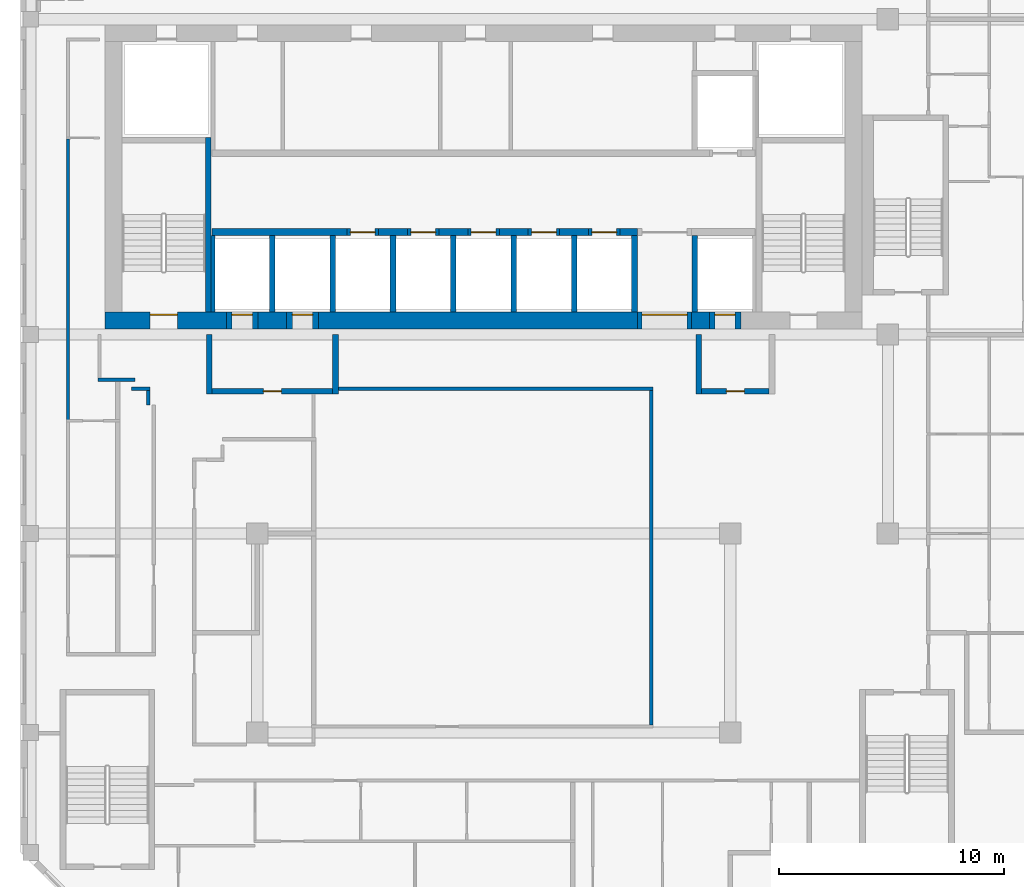
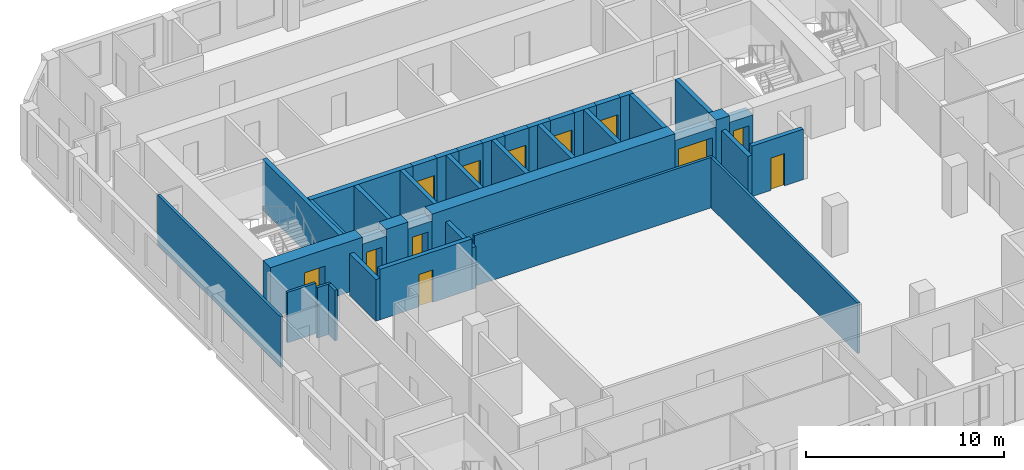
# One storey, part 4 of 19: 40 walls, 12 doors, 12 openings.
"""IFC4 building model written with IfcOpenShell, lengths in metres."""

from ifc_helpers import new_model, si_unit, direction, frame, frame_2d, origin, place, context, subcontext, project, spatial, rectangle, extrude, source, transform, mapped, material, layer, layer_set, type_object, element, fill, save


model = new_model("IFC4")

# Units and contexts
model_context = context("Model", 3, precision=1e-05, world=origin(), true_north=direction((0.0, 1.0)))
body_context = subcontext(model_context, "Body", "Model", "MODEL_VIEW")
ifc_project = project(units=[si_unit("LENGTHUNIT", "METRE"), si_unit("AREAUNIT", "SQUARE_METRE"), si_unit("VOLUMEUNIT", "CUBIC_METRE"), si_unit("PLANEANGLEUNIT", "RADIAN"), si_unit("MASSUNIT", "GRAM", prefix="KILO")], contexts=[model_context])

# Site, building, storey
site_placement = place(None, origin())
site = spatial("IfcSite", under=ifc_project, at=site_placement, CompositionType="ELEMENT")
building_placement = place(site_placement, origin())
building = spatial("IfcBuilding", under=site, at=building_placement, Name="Kilnfold Tower and Market Hall", CompositionType="ELEMENT")
storey_placement = place(building_placement, frame((0.0, 0.0, 245.800048828125)))
storey = spatial("IfcBuildingStorey", under=building, at=storey_placement, Name="L59", CompositionType="ELEMENT", Elevation=245.800048828125)

# Walls
ifc_material_1 = material(Name="Gypsum board on steel studs", Category="steel")
ifc_layer_1 = layer(ifc_material_1, 0.14990234375)
ifc_layer_set_1 = layer_set([ifc_layer_1], Name="Gypsum board on steel studs")
wall_type_1 = type_object("IfcWallType", Name="WALL CORRIDOR 150", PredefinedType="PARTITIONING", material=ifc_layer_set_1)
wall_1_placement = place(storey_placement, frame((-17.39990234375, 4.214111328125, 0.0), z_axis=(0.0, 0.0, 1.0), x_axis=(0.0, 1.0, 0.0)))
element("IfcWall", 1, at=wall_1_placement, inside=storey, type_object=wall_type_1, Name="Partition LY36.4", PredefinedType="PARTITIONING", context=body_context, shape_type="SweptSolid", body=[
    extrude(rectangle(XDim=12.476806640625, YDim=0.14990234375, at=frame_2d((6.23828125, 0.0))), origin(), (0.0, 0.0, 1.0), 3.119873046875),
])
wall_2_placement = place(storey_placement, frame((-16.074951171875, 6.0, 0.0), z_axis=(0.0, 0.0, 1.0), x_axis=(1.0, 0.0, 0.0)))
element("IfcWall", 2, at=wall_2_placement, inside=storey, type_object=wall_type_1, Name="Partition LY36.5", PredefinedType="PARTITIONING", context=body_context, shape_type="SweptSolid", body=[
    extrude(rectangle(XDim=1.64990234375, YDim=0.14990234375, at=frame_2d((0.824951171875, 0.0))), origin(), (0.0, 0.0, 1.0), 3.119873046875),
])
wall_3_placement = place(storey_placement, frame((-13.843017578125, 5.52490234375, 0.0), z_axis=(0.0, 0.0, 1.0), x_axis=(0.0, -1.0, 0.0)))
element("IfcWall", 3, at=wall_3_placement, inside=storey, type_object=wall_type_1, Name="Partition LY36.29", PredefinedType="PARTITIONING", context=body_context, shape_type="SweptSolid", body=[
    extrude(rectangle(XDim=0.64599609375, YDim=0.14990234375, at=frame_2d((0.322998046875, 0.0))), origin(), (0.0, 0.0, 1.0), 3.119873046875),
])
wall_4_placement = place(storey_placement, frame((-14.574951171875, 5.60009765625, 0.0), z_axis=(0.0, 0.0, 1.0), x_axis=(1.0, 0.0, 0.0)))
element("IfcWall", 4, at=wall_4_placement, inside=storey, type_object=wall_type_1, Name="Partition LY36.30", PredefinedType="PARTITIONING", context=body_context, shape_type="SweptSolid", body=[
    extrude(rectangle(XDim=0.806884765625, YDim=0.14990234375, at=frame_2d((0.4033203125, 0.0))), origin(), (0.0, 0.0, 1.0), 3.119873046875),
])
wall_5_placement = place(storey_placement, frame((8.5, 5.52490234375, 0.0), z_axis=(0.0, 0.0, 1.0), x_axis=(0.0, -1.0, 0.0)))
element("IfcWall", 5, at=wall_5_placement, inside=storey, type_object=wall_type_1, Name="Partition LY36.42", PredefinedType="PARTITIONING", context=body_context, shape_type="SweptSolid", body=[
    extrude(rectangle(XDim=14.849853515625, YDim=0.14990234375, at=frame_2d((7.4248046875, 0.0))), origin(), (0.0, 0.0, 1.0), 3.119873046875),
])
wall_6_placement = place(storey_placement, frame((-5.39990234375, 5.60009765625, 0.0), z_axis=(0.0, 0.0, 1.0), x_axis=(1.0, 0.0, 0.0)))
element("IfcWall", 6, at=wall_6_placement, inside=storey, type_object=wall_type_1, Name="Partition LY36.43", PredefinedType="PARTITIONING", context=body_context, shape_type="SweptSolid", body=[
    extrude(rectangle(XDim=13.974853515625, YDim=0.14990234375, at=frame_2d((6.9873046875, 0.0))), origin(), (0.0, 0.0, 1.0), 3.119873046875),
])
ifc_material_2 = material(Name="Concrete C60", Category="concrete")
ifc_layer_2 = layer(ifc_material_2, 0.25)
ifc_layer_set_2 = layer_set([ifc_layer_2], Name="Concrete C60")
wall_type_2 = type_object("IfcWallType", Name="CORE WALL 250 C60", PredefinedType="SHEAR", material=ifc_layer_set_2)
shared_shape_1 = source(origin(), body_context, "Body", "SweptSolid", [
    extrude(rectangle(XDim=7.75, YDim=0.25, at=frame_2d((3.875, 0.0))), origin(), (0.0, 0.0, 1.0), 3.119873046875),
])
wall_7_placement = place(storey_placement, frame((-11.175048828125, 9.0, 0.0), z_axis=(0.0, 0.0, 1.0), x_axis=(0.0, 1.0, 0.0)))
element("IfcWall", 7, at=wall_7_placement, inside=storey, type_object=wall_type_2, Name="Stair enclosure ST1", PredefinedType="SHEAR", context=body_context, shape_type="MappedRepresentation", body=[
    mapped(shared_shape_1, transform((0.0, 0.0, 0.0))),
])
ifc_material_3 = material(Name="Concrete C60", Category="concrete")
ifc_layer_3 = layer(ifc_material_3, 0.300048828125)
ifc_layer_set_3 = layer_set([ifc_layer_3], Name="Concrete C60")
wall_type_3 = type_object("IfcWallType", Name="CORE WALL 300 C60", PredefinedType="SHEAR", material=ifc_layer_set_3)
shared_shape_2 = source(origin(), body_context, "Body", "SweptSolid", [
    extrude(rectangle(XDim=6.0, YDim=0.300048828125, at=frame_2d((3.0, 0.0))), origin(), (0.0, 0.0, 1.0), 3.119873046875),
])
wall_8_placement = place(storey_placement, frame((-11.010009765625, 12.550048828125, 0.0), z_axis=(0.0, 0.0, 1.0), x_axis=(1.0, 0.0, 0.0)))
element("IfcWall", 8, at=wall_8_placement, inside=storey, type_object=wall_type_3, Name="Core spine wall", PredefinedType="SHEAR", context=body_context, shape_type="MappedRepresentation", body=[
    mapped(shared_shape_2, transform((0.0, 0.0, 0.0))),
])
shared_shape_3 = source(origin(), body_context, "Body", "SweptSolid", [
    extrude(rectangle(XDim=1.280029296875, YDim=0.300048828125, at=frame_2d((0.64013671875, 0.0))), origin(), (0.0, 0.0, 1.0), 3.119873046875),
])
for number, where, z_axis, x_axis, name in (
    (9, (-3.610107421875, 12.550048828125, 0.0), (0.0, 0.0, 1.0), (1.0, 0.0, 0.0), "Core spine wall"),
    (10, (-0.929931640625, 12.550048828125, 0.0), (0.0, 0.0, 1.0), (1.0, 0.0, 0.0), "Core spine wall"),
    (11, (1.75, 12.550048828125, 0.0), (0.0, 0.0, 1.0), (1.0, 0.0, 0.0), "Core spine wall"),
    (12, (4.429931640625, 12.550048828125, 0.0), (0.0, 0.0, 1.0), (1.0, 0.0, 0.0), "Core spine wall"),
):
    element("IfcWall", number, at=place(storey_placement, frame(where, z_axis=z_axis, x_axis=x_axis)), inside=storey, type_object=wall_type_3, Name=name, PredefinedType="SHEAR", context=body_context, shape_type="MappedRepresentation", body=[
        mapped(shared_shape_3, transform((0.0, 0.0, 0.0))),
    ])
shared_shape_4 = source(origin(), body_context, "Body", "SweptSolid", [
    extrude(rectangle(XDim=0.77978515625, YDim=0.300048828125, at=frame_2d((0.389892578125, 0.0))), origin(), (0.0, 0.0, 1.0), 3.119873046875),
])
wall_9_placement = place(storey_placement, frame((7.110107421875, 12.550048828125, 0.0), z_axis=(0.0, 0.0, 1.0), x_axis=(1.0, 0.0, 0.0)))
element("IfcWall", 13, at=wall_9_placement, inside=storey, type_object=wall_type_3, Name="Core spine wall", PredefinedType="SHEAR", context=body_context, shape_type="MappedRepresentation", body=[
    mapped(shared_shape_4, transform((0.0, 0.0, 0.0))),
])

# Wall, opening, door
ifc_material_4 = material(Name="Concrete C60", Category="concrete")
ifc_layer_4 = layer(ifc_material_4, 0.75)
ifc_layer_set_4 = layer_set([ifc_layer_4], Name="Concrete C60")
wall_type_4 = type_object("IfcWallType", Name="CORE WALL 750 C60", PredefinedType="SHEAR", material=ifc_layer_set_4)
shared_shape_5 = source(origin(), body_context, "Body", "SweptSolid", [
    extrude(rectangle(XDim=5.3798828125, YDim=0.75, at=frame_2d((2.68994140625, 0.0))), origin(), (0.0, 0.0, 1.0), 3.119873046875),
])
wall_10_placement = place(storey_placement, frame((-15.75, 8.625, 0.0), z_axis=(0.0, 0.0, 1.0), x_axis=(1.0, 0.0, 0.0)))
wall_10 = element("IfcWall", 14, at=wall_10_placement, inside=storey, type_object=wall_type_4, Name="Core outer wall south", PredefinedType="SHEAR", context=body_context, shape_type="MappedRepresentation", body=[
    mapped(shared_shape_5, transform((0.0, 0.0, 0.0))),
])
opening_1_placement = place(wall_10_placement, frame((2.0, 0.0, 0.0)))
opening_1 = element("IfcOpeningElement", 15, at=opening_1_placement, cuts=wall_10, Name="Opening SD1", PredefinedType="OPENING", context=body_context, shape_type="SweptSolid", body=[
    extrude(rectangle(XDim=1.199951171875, YDim=2.10009765625, at=frame_2d((0.60009765625, 1.050048828125))), frame((0.0, 0.385009765625, 0.0), z_axis=(0.0, -1.0, 0.0), x_axis=(1.0, 0.0, 0.0)), (0.0, 0.0, 1.0), 0.77001953125),
])
ifc_material_5 = material(Name="Steel door set with fire-resisting leaf", Category="steel")
door_type_1 = type_object("IfcDoorType", Name="STAIR FLOOR DOOR 1200X2100", OperationType="NOTDEFINED", PredefinedType="DOOR", material=ifc_material_5)
door_1_placement = place(opening_1_placement, origin())
door_1 = element("IfcDoor", 16, at=door_1_placement, inside=storey, type_object=door_type_1, Name="Exit stair ST1 door", OperationType="DOUBLE_DOOR_SINGLE_SWING", OverallHeight=2.10009765625, OverallWidth=1.199951171875, PredefinedType="DOOR", context=body_context, shape_type="SweptSolid", body=[
    extrude(rectangle(XDim=1.199951171875, YDim=2.10009765625, at=frame_2d((0.60009765625, 1.050048828125))), frame((0.0, 0.27978515625, 0.0), z_axis=(0.0, -1.0, 0.0), x_axis=(1.0, 0.0, 0.0)), (0.0, 0.0, 1.0), 0.050048828125),
])
fill(opening_1, door_1)

# Walls
shared_shape_6 = source(origin(), body_context, "Body", "SweptSolid", [
    extrude(rectangle(XDim=1.280029296875, YDim=0.75, at=frame_2d((0.64013671875, 0.0))), origin(), (0.0, 0.0, 1.0), 3.119873046875),
])
wall_11_placement = place(storey_placement, frame((-8.969970703125, 8.625, 0.0), z_axis=(0.0, 0.0, 1.0), x_axis=(1.0, 0.0, 0.0)))
element("IfcWall", 17, at=wall_11_placement, inside=storey, type_object=wall_type_4, Name="Core outer wall south", PredefinedType="SHEAR", context=body_context, shape_type="MappedRepresentation", body=[
    mapped(shared_shape_6, transform((0.0, 0.0, 0.0))),
])
shared_shape_7 = source(origin(), body_context, "Body", "SweptSolid", [
    extrude(rectangle(XDim=14.179931640625, YDim=0.75, at=frame_2d((7.08984375, 0.0))), origin(), (0.0, 0.0, 1.0), 3.119873046875),
])
wall_12_placement = place(storey_placement, frame((-6.2900390625, 8.625, 0.0), z_axis=(0.0, 0.0, 1.0), x_axis=(1.0, 0.0, 0.0)))
element("IfcWall", 18, at=wall_12_placement, inside=storey, type_object=wall_type_4, Name="Core outer wall south", PredefinedType="SHEAR", context=body_context, shape_type="MappedRepresentation", body=[
    mapped(shared_shape_7, transform((0.0, 0.0, 0.0))),
])
shared_shape_8 = source(origin(), body_context, "Body", "SweptSolid", [
    extrude(rectangle(XDim=0.780029296875, YDim=0.75, at=frame_2d((0.39013671875, 0.0))), origin(), (0.0, 0.0, 1.0), 3.119873046875),
])
wall_13_placement = place(storey_placement, frame((10.2900390625, 8.625, 0.0), z_axis=(0.0, 0.0, 1.0), x_axis=(1.0, 0.0, 0.0)))
element("IfcWall", 19, at=wall_13_placement, inside=storey, type_object=wall_type_4, Name="Core outer wall south", PredefinedType="SHEAR", context=body_context, shape_type="MappedRepresentation", body=[
    mapped(shared_shape_8, transform((0.0, 0.0, 0.0))),
])

# Wall, opening, door
ifc_material_6 = material(Name="Gypsum shaft wall system")
ifc_layer_5 = layer(ifc_material_6, 0.300048828125)
ifc_layer_set_5 = layer_set([ifc_layer_5], Name="Gypsum shaft wall system")
wall_type_5 = type_object("IfcWallType", Name="SHAFT WALL 300", PredefinedType="PARTITIONING", material=ifc_layer_set_5)
shared_shape_9 = source(origin(), body_context, "Body", "SweptSolid", [
    extrude(rectangle(XDim=1.39990234375, YDim=0.300048828125, at=frame_2d((0.699951171875, 0.0))), origin(), (0.0, 0.0, 1.0), 3.119873046875),
])
wall_14_placement = place(storey_placement, frame((-5.010009765625, 12.550048828125, 0.0), z_axis=(0.0, 0.0, 1.0), x_axis=(1.0, 0.0, 0.0)))
wall_14 = element("IfcWall", 20, at=wall_14_placement, inside=storey, type_object=wall_type_5, Name="Lift shaft front wall", PredefinedType="PARTITIONING", context=body_context, shape_type="MappedRepresentation", body=[
    mapped(shared_shape_9, transform((0.0, 0.0, 0.0))),
])
opening_2_placement = place(wall_14_placement, frame((0.14990234375, 0.0, 0.0)))
opening_2 = element("IfcOpeningElement", 21, at=opening_2_placement, cuts=wall_14, Name="Opening LD2", PredefinedType="OPENING", context=body_context, shape_type="SweptSolid", body=[
    extrude(rectangle(XDim=1.10009765625, YDim=2.10009765625, at=frame_2d((0.550048828125, 1.050048828125))), frame((0.0, 0.16015625, 0.0), z_axis=(0.0, -1.0, 0.0), x_axis=(1.0, 0.0, 0.0)), (0.0, 0.0, 1.0), 0.320068359375),
])
ifc_material_7 = material(Name="Steel door set with fire-resisting leaf", Category="steel")
door_type_2 = type_object("IfcDoorType", Name="LANDING DOOR 1100X2100", OperationType="NOTDEFINED", PredefinedType="DOOR", material=ifc_material_7)
door_2_placement = place(opening_2_placement, origin())
door_2 = element("IfcDoor", 22, at=door_2_placement, inside=storey, type_object=door_type_2, Name="Landing door HR1", OperationType="DOUBLE_DOOR_SLIDING", OverallHeight=2.10009765625, OverallWidth=1.10009765625, PredefinedType="DOOR", context=body_context, shape_type="SweptSolid", body=[
    extrude(rectangle(XDim=1.10009765625, YDim=2.10009765625, at=frame_2d((0.550048828125, 1.050048828125))), frame((0.0, 0.02490234375, 0.0), z_axis=(0.0, -1.0, 0.0), x_axis=(1.0, 0.0, 0.0)), (0.0, 0.0, 1.0), 0.050048828125),
])
fill(opening_2, door_2)

wall_15_placement = place(storey_placement, frame((0.35009765625, 12.550048828125, 0.0), z_axis=(0.0, 0.0, 1.0), x_axis=(1.0, 0.0, 0.0)))
wall_15 = element("IfcWall", 23, at=wall_15_placement, inside=storey, type_object=wall_type_5, Name="Lift shaft front wall", PredefinedType="PARTITIONING", context=body_context, shape_type="MappedRepresentation", body=[
    mapped(shared_shape_9, transform((0.0, 0.0, 0.0))),
])
opening_3_placement = place(wall_15_placement, frame((0.14990234375, 0.0, 0.0)))
opening_3 = element("IfcOpeningElement", 24, at=opening_3_placement, cuts=wall_15, Name="Opening LD2", PredefinedType="OPENING", context=body_context, shape_type="SweptSolid", body=[
    extrude(rectangle(XDim=1.10009765625, YDim=2.10009765625, at=frame_2d((0.550048828125, 1.050048828125))), frame((0.0, 0.16015625, 0.0), z_axis=(0.0, -1.0, 0.0), x_axis=(1.0, 0.0, 0.0)), (0.0, 0.0, 1.0), 0.320068359375),
])
door_3_placement = place(opening_3_placement, origin())
door_3 = element("IfcDoor", 25, at=door_3_placement, inside=storey, type_object=door_type_2, Name="Landing door HR3", OperationType="DOUBLE_DOOR_SLIDING", OverallHeight=2.10009765625, OverallWidth=1.10009765625, PredefinedType="DOOR", context=body_context, shape_type="SweptSolid", body=[
    extrude(rectangle(XDim=1.10009765625, YDim=2.10009765625, at=frame_2d((0.550048828125, 1.050048828125))), frame((0.0, 0.02490234375, 0.0), z_axis=(0.0, -1.0, 0.0), x_axis=(1.0, 0.0, 0.0)), (0.0, 0.0, 1.0), 0.050048828125),
])
fill(opening_3, door_3)

wall_16_placement = place(storey_placement, frame((3.030029296875, 12.550048828125, 0.0), z_axis=(0.0, 0.0, 1.0), x_axis=(1.0, 0.0, 0.0)))
wall_16 = element("IfcWall", 26, at=wall_16_placement, inside=storey, type_object=wall_type_5, Name="Lift shaft front wall", PredefinedType="PARTITIONING", context=body_context, shape_type="MappedRepresentation", body=[
    mapped(shared_shape_9, transform((0.0, 0.0, 0.0))),
])
opening_4_placement = place(wall_16_placement, frame((0.14990234375, 0.0, 0.0)))
opening_4 = element("IfcOpeningElement", 27, at=opening_4_placement, cuts=wall_16, Name="Opening LD2", PredefinedType="OPENING", context=body_context, shape_type="SweptSolid", body=[
    extrude(rectangle(XDim=1.10009765625, YDim=2.10009765625, at=frame_2d((0.550048828125, 1.050048828125))), frame((0.0, 0.16015625, 0.0), z_axis=(0.0, -1.0, 0.0), x_axis=(1.0, 0.0, 0.0)), (0.0, 0.0, 1.0), 0.320068359375),
])
door_4_placement = place(opening_4_placement, origin())
door_4 = element("IfcDoor", 28, at=door_4_placement, inside=storey, type_object=door_type_2, Name="Landing door HR4", OperationType="DOUBLE_DOOR_SLIDING", OverallHeight=2.10009765625, OverallWidth=1.10009765625, PredefinedType="DOOR", context=body_context, shape_type="SweptSolid", body=[
    extrude(rectangle(XDim=1.10009765625, YDim=2.10009765625, at=frame_2d((0.550048828125, 1.050048828125))), frame((0.0, 0.02490234375, 0.0), z_axis=(0.0, -1.0, 0.0), x_axis=(1.0, 0.0, 0.0)), (0.0, 0.0, 1.0), 0.050048828125),
])
fill(opening_4, door_4)

shared_shape_10 = source(origin(), body_context, "Body", "SweptSolid", [
    extrude(rectangle(XDim=1.400146484375, YDim=0.300048828125, at=frame_2d((0.7001953125, 0.0))), origin(), (0.0, 0.0, 1.0), 3.119873046875),
])
wall_17_placement = place(storey_placement, frame((-2.330078125, 12.550048828125, 0.0), z_axis=(0.0, 0.0, 1.0), x_axis=(1.0, 0.0, 0.0)))
wall_17 = element("IfcWall", 29, at=wall_17_placement, inside=storey, type_object=wall_type_5, Name="Lift shaft front wall", PredefinedType="PARTITIONING", context=body_context, shape_type="MappedRepresentation", body=[
    mapped(shared_shape_10, transform((0.0, 0.0, 0.0))),
])
opening_5_placement = place(wall_17_placement, frame((0.14990234375, 0.0, 0.0)))
opening_5 = element("IfcOpeningElement", 30, at=opening_5_placement, cuts=wall_17, Name="Opening LD2", PredefinedType="OPENING", context=body_context, shape_type="SweptSolid", body=[
    extrude(rectangle(XDim=1.10009765625, YDim=2.10009765625, at=frame_2d((0.550048828125, 1.050048828125))), frame((0.0, 0.16015625, 0.0), z_axis=(0.0, -1.0, 0.0), x_axis=(1.0, 0.0, 0.0)), (0.0, 0.0, 1.0), 0.320068359375),
])
door_5_placement = place(opening_5_placement, origin())
door_5 = element("IfcDoor", 31, at=door_5_placement, inside=storey, type_object=door_type_2, Name="Landing door HR2", OperationType="DOUBLE_DOOR_SLIDING", OverallHeight=2.10009765625, OverallWidth=1.10009765625, PredefinedType="DOOR", context=body_context, shape_type="SweptSolid", body=[
    extrude(rectangle(XDim=1.10009765625, YDim=2.10009765625, at=frame_2d((0.550048828125, 1.050048828125))), frame((0.0, 0.02490234375, 0.0), z_axis=(0.0, -1.0, 0.0), x_axis=(1.0, 0.0, 0.0)), (0.0, 0.0, 1.0), 0.050048828125),
])
fill(opening_5, door_5)

wall_18_placement = place(storey_placement, frame((5.7099609375, 12.550048828125, 0.0), z_axis=(0.0, 0.0, 1.0), x_axis=(1.0, 0.0, 0.0)))
wall_18 = element("IfcWall", 32, at=wall_18_placement, inside=storey, type_object=wall_type_5, Name="Lift shaft front wall", PredefinedType="PARTITIONING", context=body_context, shape_type="MappedRepresentation", body=[
    mapped(shared_shape_10, transform((0.0, 0.0, 0.0))),
])
opening_6_placement = place(wall_18_placement, frame((0.14990234375, 0.0, 0.0)))
opening_6 = element("IfcOpeningElement", 33, at=opening_6_placement, cuts=wall_18, Name="Opening LD2", PredefinedType="OPENING", context=body_context, shape_type="SweptSolid", body=[
    extrude(rectangle(XDim=1.10009765625, YDim=2.10009765625, at=frame_2d((0.550048828125, 1.050048828125))), frame((0.0, 0.16015625, 0.0), z_axis=(0.0, -1.0, 0.0), x_axis=(1.0, 0.0, 0.0)), (0.0, 0.0, 1.0), 0.320068359375),
])
door_6_placement = place(opening_6_placement, origin())
door_6 = element("IfcDoor", 34, at=door_6_placement, inside=storey, type_object=door_type_2, Name="Landing door HR5", OperationType="DOUBLE_DOOR_SLIDING", OverallHeight=2.10009765625, OverallWidth=1.10009765625, PredefinedType="DOOR", context=body_context, shape_type="SweptSolid", body=[
    extrude(rectangle(XDim=1.10009765625, YDim=2.10009765625, at=frame_2d((0.550048828125, 1.050048828125))), frame((0.0, 0.02490234375, 0.0), z_axis=(0.0, -1.0, 0.0), x_axis=(1.0, 0.0, 0.0)), (0.0, 0.0, 1.0), 0.050048828125),
])
fill(opening_6, door_6)

ifc_material_8 = material(Name="Gypsum shaft wall system")
ifc_layer_6 = layer(ifc_material_8, 0.25)
ifc_layer_set_6 = layer_set([ifc_layer_6], Name="Gypsum shaft wall system")
wall_type_6 = type_object("IfcWallType", Name="LOBBY WALL 250", PredefinedType="PARTITIONING", material=ifc_layer_set_6)
shared_shape_11 = source(origin(), body_context, "Body", "SweptSolid", [
    extrude(rectangle(XDim=5.360107421875, YDim=0.25, at=frame_2d((2.68017578125, 0.0))), origin(), (0.0, 0.0, 1.0), 3.119873046875),
])
wall_19_placement = place(storey_placement, frame((-11.010009765625, 5.47509765625, 0.0), z_axis=(0.0, 0.0, 1.0), x_axis=(1.0, 0.0, 0.0)))
wall_19 = element("IfcWall", 35, at=wall_19_placement, inside=storey, type_object=wall_type_6, Name="Firefighting lobby wall", PredefinedType="PARTITIONING", context=body_context, shape_type="MappedRepresentation", body=[
    mapped(shared_shape_11, transform((0.0, 0.0, 0.0))),
])
opening_7_placement = place(wall_19_placement, frame((2.280029296875, 0.0, 0.0)))
opening_7 = element("IfcOpeningElement", 36, at=opening_7_placement, cuts=wall_19, Name="Opening VD1", PredefinedType="OPENING", context=body_context, shape_type="SweptSolid", body=[
    extrude(rectangle(XDim=0.800048828125, YDim=2.0, at=frame_2d((0.39990234375, 1.0))), frame((0.0, 0.135009765625, 0.0), z_axis=(0.0, -1.0, 0.0), x_axis=(1.0, 0.0, 0.0)), (0.0, 0.0, 1.0), 0.27001953125),
])
ifc_material_9 = material(Name="Steel door set with fire-resisting leaf", Category="steel")
door_type_3 = type_object("IfcDoorType", Name="FIREFIGHTING LOBBY DOOR 800X2000", OperationType="NOTDEFINED", PredefinedType="DOOR", material=ifc_material_9)
door_7_placement = place(opening_7_placement, origin())
door_7 = element("IfcDoor", 37, at=door_7_placement, inside=storey, type_object=door_type_3, Name="Firefighting lobby door", OperationType="SINGLE_SWING_LEFT", OverallHeight=2.0, OverallWidth=0.800048828125, PredefinedType="DOOR", context=body_context, shape_type="SweptSolid", body=[
    extrude(rectangle(XDim=0.800048828125, YDim=2.0, at=frame_2d((0.39990234375, 1.0))), frame((0.0, 0.02490234375, 0.0), z_axis=(0.0, -1.0, 0.0), x_axis=(1.0, 0.0, 0.0)), (0.0, 0.0, 1.0), 0.050048828125),
])
fill(opening_7, door_7)

shared_shape_12 = source(origin(), body_context, "Body", "SweptSolid", [
    extrude(rectangle(XDim=3.0, YDim=0.25, at=frame_2d((1.5, 0.0))), origin(), (0.0, 0.0, 1.0), 3.119873046875),
])
wall_20_placement = place(storey_placement, frame((10.72998046875, 5.47509765625, 0.0), z_axis=(0.0, 0.0, 1.0), x_axis=(1.0, 0.0, 0.0)))
wall_20 = element("IfcWall", 38, at=wall_20_placement, inside=storey, type_object=wall_type_6, Name="Firefighting lobby wall", PredefinedType="PARTITIONING", context=body_context, shape_type="MappedRepresentation", body=[
    mapped(shared_shape_12, transform((0.0, 0.0, 0.0))),
])
opening_8_placement = place(wall_20_placement, frame((1.10009765625, 0.0, 0.0)))
opening_8 = element("IfcOpeningElement", 39, at=opening_8_placement, cuts=wall_20, Name="Opening VD1", PredefinedType="OPENING", context=body_context, shape_type="SweptSolid", body=[
    extrude(rectangle(XDim=0.800048828125, YDim=2.0, at=frame_2d((0.39990234375, 1.0))), frame((0.0, 0.135009765625, 0.0), z_axis=(0.0, -1.0, 0.0), x_axis=(1.0, 0.0, 0.0)), (0.0, 0.0, 1.0), 0.27001953125),
])
door_8_placement = place(opening_8_placement, origin())
door_8 = element("IfcDoor", 40, at=door_8_placement, inside=storey, type_object=door_type_3, Name="Firefighting lobby door", OperationType="SINGLE_SWING_RIGHT", OverallHeight=2.0, OverallWidth=0.800048828125, PredefinedType="DOOR", context=body_context, shape_type="SweptSolid", body=[
    extrude(rectangle(XDim=0.800048828125, YDim=2.0, at=frame_2d((0.39990234375, 1.0))), frame((0.0, 0.02490234375, 0.0), z_axis=(0.0, -1.0, 0.0), x_axis=(1.0, 0.0, 0.0)), (0.0, 0.0, 1.0), 0.050048828125),
])
fill(opening_8, door_8)

# Walls
ifc_material_10 = material(Name="Gypsum shaft wall system")
ifc_layer_7 = layer(ifc_material_10, 0.25)
ifc_layer_set_7 = layer_set([ifc_layer_7], Name="Gypsum shaft wall system")
wall_type_7 = type_object("IfcWallType", Name="SHAFT WALL 250", PredefinedType="PARTITIONING", material=ifc_layer_set_7)
shared_shape_13 = source(origin(), body_context, "Body", "SweptSolid", [
    extrude(rectangle(XDim=3.39990234375, YDim=0.25, at=frame_2d((1.699951171875, 0.0))), origin(), (0.0, 0.0, 1.0), 3.119873046875),
])
for number, where, z_axis, x_axis, name in (
    (41, (10.429931640625, 9.0, 0.0), (0.0, 0.0, 1.0), (0.0, 1.0, 0.0), "Lift shaft wall"),
    (42, (2.389892578125, 9.0, 0.0), (0.0, 0.0, 1.0), (0.0, 1.0, 0.0), "Lift shaft wall"),
    (43, (5.070068359375, 9.0, 0.0), (0.0, 0.0, 1.0), (0.0, 1.0, 0.0), "Lift shaft wall"),
    (44, (7.75, 9.0, 0.0), (0.0, 0.0, 1.0), (0.0, 1.0, 0.0), "Lift shaft wall"),
    (45, (-0.2900390625, 9.0, 0.0), (0.0, 0.0, 1.0), (0.0, 1.0, 0.0), "Lift shaft wall"),
    (46, (-2.969970703125, 9.0, 0.0), (0.0, 0.0, 1.0), (0.0, 1.0, 0.0), "Lift shaft wall"),
    (47, (-5.64990234375, 9.0, 0.0), (0.0, 0.0, 1.0), (0.0, 1.0, 0.0), "Lift shaft wall"),
    (48, (-8.330078125, 9.0, 0.0), (0.0, 0.0, 1.0), (0.0, 1.0, 0.0), "Lift shaft wall"),
):
    element("IfcWall", number, at=place(storey_placement, frame(where, z_axis=z_axis, x_axis=x_axis)), inside=storey, type_object=wall_type_7, Name=name, PredefinedType="PARTITIONING", context=body_context, shape_type="MappedRepresentation", body=[
        mapped(shared_shape_13, transform((0.0, 0.0, 0.0))),
    ])
ifc_material_11 = material(Name="Gypsum shaft wall system")
ifc_layer_8 = layer(ifc_material_11, 0.1650390625)
ifc_layer_set_8 = layer_set([ifc_layer_8], Name="Gypsum shaft wall system")
wall_type_8 = type_object("IfcWallType", Name="SHAFT WALL 165", PredefinedType="PARTITIONING", material=ifc_layer_set_8)
shared_shape_14 = source(origin(), body_context, "Body", "SweptSolid", [
    extrude(rectangle(XDim=3.39990234375, YDim=0.1650390625, at=frame_2d((1.699951171875, 0.0))), origin(), (0.0, 0.0, 1.0), 3.119873046875),
])
wall_21_placement = place(storey_placement, frame((-10.967529296875, 9.0, 0.0), z_axis=(0.0, 0.0, 1.0), x_axis=(0.0, 1.0, 0.0)))
element("IfcWall", 49, at=wall_21_placement, inside=storey, type_object=wall_type_8, Name="Lift shaft wall", PredefinedType="PARTITIONING", context=body_context, shape_type="MappedRepresentation", body=[
    mapped(shared_shape_14, transform((0.0, 0.0, 0.0))),
])

# Wall, opening, door
ifc_material_12 = material(Name="Gypsum shaft wall system")
ifc_layer_9 = layer(ifc_material_12, 0.75)
ifc_layer_set_9 = layer_set([ifc_layer_9], Name="Gypsum shaft wall system")
wall_type_9 = type_object("IfcWallType", Name="LOBBY WALL 750", PredefinedType="PARTITIONING", material=ifc_layer_set_9)
shared_shape_15 = source(origin(), body_context, "Body", "SweptSolid", [
    extrude(rectangle(XDim=1.400146484375, YDim=0.75, at=frame_2d((0.7001953125, 0.0))), origin(), (0.0, 0.0, 1.0), 2.699951171875),
])
wall_22_placement = place(storey_placement, frame((-10.3701171875, 8.625, 0.0), z_axis=(0.0, 0.0, 1.0), x_axis=(1.0, 0.0, 0.0)))
wall_22 = element("IfcWall", 50, at=wall_22_placement, inside=storey, type_object=wall_type_9, Name="Core wall infill", PredefinedType="PARTITIONING", context=body_context, shape_type="MappedRepresentation", body=[
    mapped(shared_shape_15, transform((0.0, 0.0, 0.0))),
])
opening_9_placement = place(wall_22_placement, frame((0.25, 0.0, 0.0)))
opening_9 = element("IfcOpeningElement", 51, at=opening_9_placement, cuts=wall_22, Name="Opening LD1", PredefinedType="OPENING", context=body_context, shape_type="SweptSolid", body=[
    extrude(rectangle(XDim=0.89990234375, YDim=2.10009765625, at=frame_2d((0.449951171875, 1.050048828125))), frame((0.0, 0.385009765625, 0.0), z_axis=(0.0, -1.0, 0.0), x_axis=(1.0, 0.0, 0.0)), (0.0, 0.0, 1.0), 0.77001953125),
])
ifc_material_13 = material(Name="Steel door set with fire-resisting leaf", Category="steel")
door_type_4 = type_object("IfcDoorType", Name="FIREFIGHTING LANDING DOOR 900X2100", OperationType="NOTDEFINED", PredefinedType="DOOR", material=ifc_material_13)
door_9_placement = place(opening_9_placement, origin())
door_9 = element("IfcDoor", 52, at=door_9_placement, inside=storey, type_object=door_type_4, Name="Landing door FF1", OperationType="SLIDING_TO_LEFT", OverallHeight=2.10009765625, OverallWidth=0.89990234375, PredefinedType="DOOR", context=body_context, shape_type="SweptSolid", body=[
    extrude(rectangle(XDim=0.89990234375, YDim=2.10009765625, at=frame_2d((0.449951171875, 1.050048828125))), frame((0.0, 0.27978515625, 0.0), z_axis=(0.0, -1.0, 0.0), x_axis=(1.0, 0.0, 0.0)), (0.0, 0.0, 1.0), 0.050048828125),
])
fill(opening_9, door_9)

shared_shape_16 = source(origin(), body_context, "Body", "SweptSolid", [
    extrude(rectangle(XDim=1.39990234375, YDim=0.75, at=frame_2d((0.699951171875, 0.0))), origin(), (0.0, 0.0, 1.0), 2.699951171875),
])
wall_23_placement = place(storey_placement, frame((-7.68994140625, 8.625, 0.0), z_axis=(0.0, 0.0, 1.0), x_axis=(1.0, 0.0, 0.0)))
wall_23 = element("IfcWall", 53, at=wall_23_placement, inside=storey, type_object=wall_type_9, Name="Core wall infill", PredefinedType="PARTITIONING", context=body_context, shape_type="MappedRepresentation", body=[
    mapped(shared_shape_16, transform((0.0, 0.0, 0.0))),
])
opening_10_placement = place(wall_23_placement, frame((0.25, 0.0, 0.0)))
opening_10 = element("IfcOpeningElement", 54, at=opening_10_placement, cuts=wall_23, Name="Opening LD1", PredefinedType="OPENING", context=body_context, shape_type="SweptSolid", body=[
    extrude(rectangle(XDim=0.89990234375, YDim=2.10009765625, at=frame_2d((0.449951171875, 1.050048828125))), frame((0.0, 0.385009765625, 0.0), z_axis=(0.0, -1.0, 0.0), x_axis=(1.0, 0.0, 0.0)), (0.0, 0.0, 1.0), 0.77001953125),
])
door_10_placement = place(opening_10_placement, origin())
door_10 = element("IfcDoor", 55, at=door_10_placement, inside=storey, type_object=door_type_4, Name="Landing door FF2", OperationType="SLIDING_TO_RIGHT", OverallHeight=2.10009765625, OverallWidth=0.89990234375, PredefinedType="DOOR", context=body_context, shape_type="SweptSolid", body=[
    extrude(rectangle(XDim=0.89990234375, YDim=2.10009765625, at=frame_2d((0.449951171875, 1.050048828125))), frame((0.0, 0.27978515625, 0.0), z_axis=(0.0, -1.0, 0.0), x_axis=(1.0, 0.0, 0.0)), (0.0, 0.0, 1.0), 0.050048828125),
])
fill(opening_10, door_10)

wall_24_placement = place(storey_placement, frame((11.070068359375, 8.625, 0.0), z_axis=(0.0, 0.0, 1.0), x_axis=(1.0, 0.0, 0.0)))
wall_24 = element("IfcWall", 56, at=wall_24_placement, inside=storey, type_object=wall_type_9, Name="Core wall infill", PredefinedType="PARTITIONING", context=body_context, shape_type="MappedRepresentation", body=[
    mapped(shared_shape_16, transform((0.0, 0.0, 0.0))),
])
opening_11_placement = place(wall_24_placement, frame((0.25, 0.0, 0.0)))
opening_11 = element("IfcOpeningElement", 57, at=opening_11_placement, cuts=wall_24, Name="Opening LD1", PredefinedType="OPENING", context=body_context, shape_type="SweptSolid", body=[
    extrude(rectangle(XDim=0.89990234375, YDim=2.10009765625, at=frame_2d((0.449951171875, 1.050048828125))), frame((0.0, 0.385009765625, 0.0), z_axis=(0.0, -1.0, 0.0), x_axis=(1.0, 0.0, 0.0)), (0.0, 0.0, 1.0), 0.77001953125),
])
door_11_placement = place(opening_11_placement, origin())
door_11 = element("IfcDoor", 58, at=door_11_placement, inside=storey, type_object=door_type_4, Name="Landing door FF3", OperationType="SLIDING_TO_LEFT", OverallHeight=2.10009765625, OverallWidth=0.89990234375, PredefinedType="DOOR", context=body_context, shape_type="SweptSolid", body=[
    extrude(rectangle(XDim=0.89990234375, YDim=2.10009765625, at=frame_2d((0.449951171875, 1.050048828125))), frame((0.0, 0.27978515625, 0.0), z_axis=(0.0, -1.0, 0.0), x_axis=(1.0, 0.0, 0.0)), (0.0, 0.0, 1.0), 0.050048828125),
])
fill(opening_11, door_11)

shared_shape_17 = source(origin(), body_context, "Body", "SweptSolid", [
    extrude(rectangle(XDim=2.400146484375, YDim=0.75, at=frame_2d((1.2001953125, 0.0))), origin(), (0.0, 0.0, 1.0), 2.699951171875),
])
wall_25_placement = place(storey_placement, frame((7.889892578125, 8.625, 0.0), z_axis=(0.0, 0.0, 1.0), x_axis=(1.0, 0.0, 0.0)))
wall_25 = element("IfcWall", 59, at=wall_25_placement, inside=storey, type_object=wall_type_9, Name="Core wall infill", PredefinedType="PARTITIONING", context=body_context, shape_type="MappedRepresentation", body=[
    mapped(shared_shape_17, transform((0.0, 0.0, 0.0))),
])
opening_12_placement = place(wall_25_placement, frame((0.199951171875, 0.0, 0.0)))
opening_12 = element("IfcOpeningElement", 60, at=opening_12_placement, cuts=wall_25, Name="Opening VD2", PredefinedType="OPENING", context=body_context, shape_type="SweptSolid", body=[
    extrude(rectangle(XDim=2.0, YDim=2.10009765625, at=frame_2d((1.0, 1.050048828125))), frame((0.0, 0.385009765625, 0.0), z_axis=(0.0, -1.0, 0.0), x_axis=(1.0, 0.0, 0.0)), (0.0, 0.0, 1.0), 0.77001953125),
])
ifc_material_14 = material(Name="Steel door set with fire-resisting leaf", Category="steel")
door_type_5 = type_object("IfcDoorType", Name="LIFT LOBBY ENTRANCE DOOR 2000X2100", OperationType="NOTDEFINED", PredefinedType="DOOR", material=ifc_material_14)
door_12_placement = place(opening_12_placement, origin())
door_12 = element("IfcDoor", 61, at=door_12_placement, inside=storey, type_object=door_type_5, Name="Lift lobby entrance door", OperationType="DOUBLE_DOOR_SINGLE_SWING", OverallHeight=2.10009765625, OverallWidth=2.0, PredefinedType="DOOR", context=body_context, shape_type="SweptSolid", body=[
    extrude(rectangle(XDim=2.0, YDim=2.10009765625, at=frame_2d((1.0, 1.050048828125))), frame((0.0, 0.27978515625, 0.0), z_axis=(0.0, -1.0, 0.0), x_axis=(1.0, 0.0, 0.0)), (0.0, 0.0, 1.0), 0.050048828125),
])
fill(opening_12, door_12)

# Walls
shared_shape_18 = source(origin(), body_context, "Body", "SweptSolid", [
    extrude(rectangle(XDim=2.64990234375, YDim=0.25, at=frame_2d((1.324951171875, 0.0))), origin(), (0.0, 0.0, 1.0), 2.570068359375),
])
for number, where, z_axis, x_axis, name in (
    (62, (-11.135009765625, 5.35009765625, 0.0), (0.0, 0.0, 1.0), (0.0, 1.0, 0.0), "Firefighting lobby wall"),
    (63, (-5.52490234375, 5.35009765625, 0.0), (0.0, 0.0, 1.0), (0.0, 1.0, 0.0), "Firefighting lobby wall"),
    (64, (10.60498046875, 5.35009765625, 0.0), (0.0, 0.0, 1.0), (0.0, 1.0, 0.0), "Firefighting lobby wall"),
):
    element("IfcWall", number, at=place(storey_placement, frame(where, z_axis=z_axis, x_axis=x_axis)), inside=storey, type_object=wall_type_6, Name=name, PredefinedType="PARTITIONING", context=body_context, shape_type="MappedRepresentation", body=[
        mapped(shared_shape_18, transform((0.0, 0.0, 0.0))),
    ])

save(model, "model.ifc")
